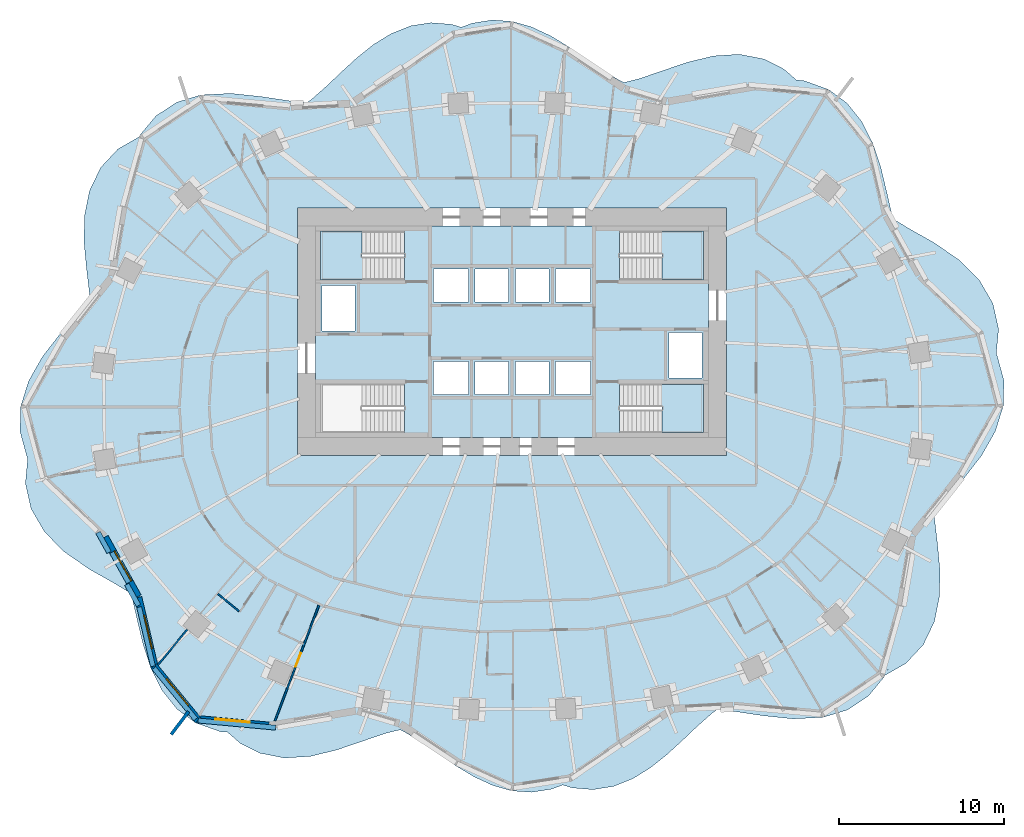
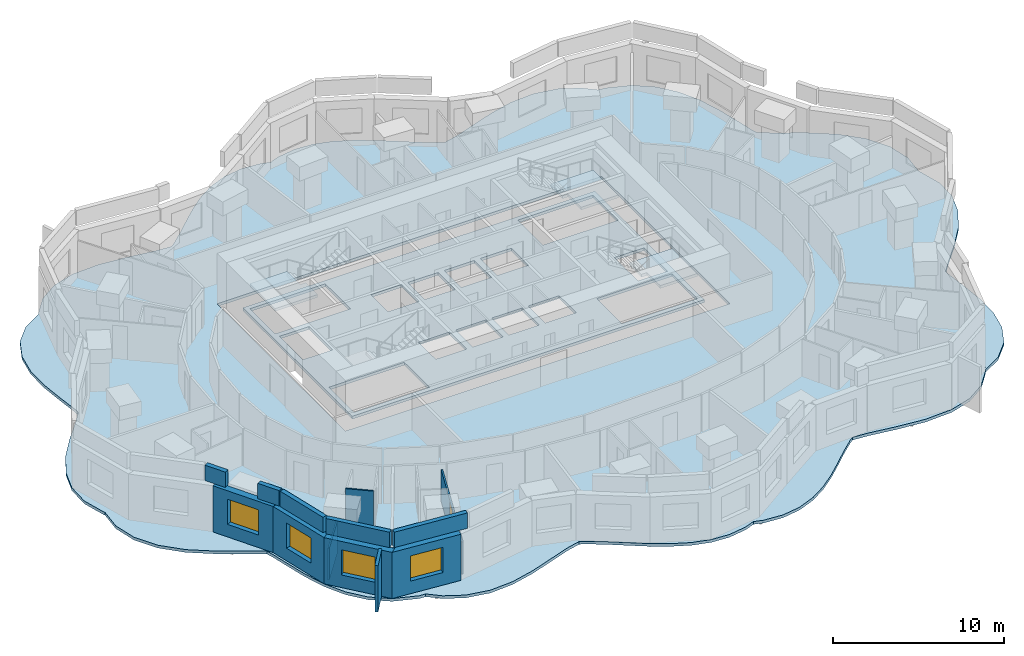
# One storey, part 3 of 12: 13 walls, 5 slabs, 4 windows, 1 door, 5 openings, 3 elements without a shape of their own.
"""IFC4 building model written with IfcOpenShell, lengths in metres."""

from ifc_helpers import new_model, si_unit, direction, frame, frame_2d, origin, place, context, subcontext, project, spatial, polyline, rectangle, outline, extrude, material, layer, layer_set, type_object, element, fill, aggregate, save


model = new_model("IFC4")

# Units and contexts
model_context = context("Model", 3, precision=1e-05, world=origin(), true_north=direction((0.0, 1.0)))
body_context = subcontext(model_context, "Body", "Model", "MODEL_VIEW")
ifc_project = project(units=[si_unit("LENGTHUNIT", "METRE"), si_unit("AREAUNIT", "SQUARE_METRE"), si_unit("VOLUMEUNIT", "CUBIC_METRE"), si_unit("PLANEANGLEUNIT", "RADIAN"), si_unit("MASSUNIT", "GRAM", prefix="KILO")], contexts=[model_context])

# Site, building, storey
site_placement = place(None, origin())
site = spatial("IfcSite", under=ifc_project, at=site_placement, CompositionType="ELEMENT")
building_placement = place(site_placement, origin())
building = spatial("IfcBuilding", under=site, at=building_placement, Name="Rubra Terraces Tower", CompositionType="ELEMENT")
storey_placement = place(building_placement, frame((0.0, 0.0, 117.60009765625)))
storey = spatial("IfcBuildingStorey", under=building, at=storey_placement, Name="L28", CompositionType="ELEMENT", Elevation=117.60009765625)

# Slab
ifc_material_1 = material(Name="Concrete C40", Category="concrete")
ifc_layer_1 = layer(ifc_material_1, 0.199951171875)
ifc_layer_set_1 = layer_set([ifc_layer_1], Name="Concrete C40")
slab_type_1 = type_object("IfcSlabType", Name="Core floor slab 200 concrete", PredefinedType="FLOOR", material=ifc_layer_set_1)
slab_1_placement = place(storey_placement, frame((0.0, 0.0, -0.2001953125)))
element("IfcSlab", 1, at=slab_1_placement, inside=storey, type_object=slab_type_1, Name="CORE FLOOR SLAB L28", PredefinedType="FLOOR", context=body_context, shape_type="SweptSolid", body=[
    extrude(outline(polyline([(-11.89990234375, -1.89990234375), (-11.89990234375, 10.89990234375), (11.89990234375, 10.89990234375), (11.89990234375, -1.89990234375), (-11.89990234375, -1.89990234375)]), holes=[polyline([(11.597900390625, 1.347900390625), (6.501953125, 1.347900390625), (6.501953125, -1.597900390625), (11.597900390625, -1.597900390625), (11.597900390625, 1.347900390625)]), polyline([(11.597900390625, 7.652099609375), (11.597900390625, 10.597900390625), (6.501953125, 10.597900390625), (6.501953125, 7.652099609375), (11.597900390625, 7.652099609375)]), polyline([(9.5, 1.699951171875), (11.5, 1.699951171875), (11.5, 4.449951171875), (9.5, 4.449951171875), (9.5, 1.699951171875)]), polyline([(4.75, 0.699951171875), (4.75, 2.699951171875), (2.64990234375, 2.699951171875), (2.64990234375, 0.699951171875), (4.75, 0.699951171875)]), polyline([(4.75, 6.300048828125), (4.75, 8.300048828125), (2.64990234375, 8.300048828125), (2.64990234375, 6.300048828125), (4.75, 6.300048828125)]), polyline([(2.25, 0.699951171875), (2.25, 2.699951171875), (0.199951171875, 2.699951171875), (0.199951171875, 0.699951171875), (2.25, 0.699951171875)]), polyline([(2.25, 6.300048828125), (2.25, 8.300048828125), (0.199951171875, 8.300048828125), (0.199951171875, 6.300048828125), (2.25, 6.300048828125)]), polyline([(-0.199951171875, 0.699951171875), (-0.199951171875, 2.699951171875), (-2.25, 2.699951171875), (-2.25, 0.699951171875), (-0.199951171875, 0.699951171875)]), polyline([(-0.199951171875, 6.300048828125), (-0.199951171875, 8.300048828125), (-2.25, 8.300048828125), (-2.25, 6.300048828125), (-0.199951171875, 6.300048828125)]), polyline([(-2.64990234375, 0.699951171875), (-2.64990234375, 2.699951171875), (-4.75, 2.699951171875), (-4.75, 0.699951171875), (-2.64990234375, 0.699951171875)]), polyline([(-2.64990234375, 8.300048828125), (-4.75, 8.300048828125), (-4.75, 6.300048828125), (-2.64990234375, 6.300048828125), (-2.64990234375, 8.300048828125)]), polyline([(-11.597900390625, -1.597900390625), (-6.501953125, -1.597900390625), (-6.501953125, 1.347900390625), (-11.597900390625, 1.347900390625), (-11.597900390625, -1.597900390625)]), polyline([(-11.597900390625, 10.597900390625), (-11.597900390625, 7.652099609375), (-6.501953125, 7.652099609375), (-6.501953125, 10.597900390625), (-11.597900390625, 10.597900390625)]), polyline([(-9.5, 4.550048828125), (-9.5, 7.300048828125), (-11.5, 7.300048828125), (-11.5, 4.550048828125), (-9.5, 4.550048828125)])]), origin(), (0.0, 0.0, 1.0), 0.2001953125),
])

# Stair, slab
stair_type = type_object("IfcStairType", Name="Core stair 1400", PredefinedType="HALF_TURN_STAIR", material=ifc_material_1)
stair_1_placement = place(storey_placement, origin())
stair_1 = element("IfcStair", 2, at=stair_1_placement, inside=storey, type_object=stair_type, Name="L28 Exit stair S2", PredefinedType="HALF_TURN_STAIR")
ifc_layer_2 = layer(ifc_material_1, 0.199951171875)
ifc_layer_set_2 = layer_set([ifc_layer_2], Name="Concrete C40")
slab_type_2 = type_object("IfcSlabType", Name="Core stair landing 200", PredefinedType="LANDING", material=ifc_layer_set_2)
slab_2_placement = place(storey_placement, frame((0.0, 0.0, 1.599853515625)))
slab_2 = element("IfcSlab", 3, at=slab_2_placement, type_object=slab_type_2, Name="S2 landing 1", PredefinedType="LANDING", context=body_context, shape_type="SweptSolid", body=[
    extrude(outline(polyline([(-8.719970703125, 9.050048828125), (-8.719970703125, 7.64990234375), (-9.1201171875, 7.64990234375), (-11.60009765625, 7.64990234375), (-11.60009765625, 10.60009765625), (-9.1201171875, 10.60009765625), (-9.10009765625, 10.60009765625), (-9.097900390625, 10.60009765625), (-9.097900390625, 9.199951171875), (-9.10009765625, 9.199951171875), (-9.10009765625, 9.050048828125), (-8.719970703125, 9.050048828125)])), origin(), (0.0, 0.0, 1.0), 0.199951171875),
])
aggregate(stair_1, [slab_2])

stair_2_placement = place(storey_placement, origin())
stair_2 = element("IfcStair", 4, at=stair_2_placement, inside=storey, type_object=stair_type, Name="L28 Exit stair S3", PredefinedType="HALF_TURN_STAIR")
slab_3_placement = place(storey_placement, frame((0.0, 0.0, 1.599853515625)))
slab_3 = element("IfcSlab", 5, at=slab_3_placement, type_object=slab_type_2, Name="S3 landing 1", PredefinedType="LANDING", context=body_context, shape_type="SweptSolid", body=[
    extrude(outline(polyline([(9.10009765625, 9.050048828125), (9.10009765625, 9.199951171875), (8.719970703125, 9.199951171875), (8.719970703125, 10.60009765625), (9.10009765625, 10.60009765625), (9.1201171875, 10.60009765625), (11.60009765625, 10.60009765625), (11.60009765625, 7.64990234375), (9.1201171875, 7.64990234375), (9.097900390625, 7.64990234375), (9.097900390625, 9.050048828125), (9.10009765625, 9.050048828125)])), origin(), (0.0, 0.0, 1.0), 0.199951171875),
])
aggregate(stair_2, [slab_3])

stair_3_placement = place(storey_placement, origin())
stair_3 = element("IfcStair", 6, at=stair_3_placement, inside=storey, type_object=stair_type, Name="L28 Exit stair S4", PredefinedType="HALF_TURN_STAIR")
slab_4_placement = place(storey_placement, frame((0.0, 0.0, 1.599853515625)))
slab_4 = element("IfcSlab", 7, at=slab_4_placement, type_object=slab_type_2, Name="S4 landing 1", PredefinedType="LANDING", context=body_context, shape_type="SweptSolid", body=[
    extrude(outline(polyline([(9.10009765625, -0.199951171875), (9.10009765625, -0.050048828125), (8.719970703125, -0.050048828125), (8.719970703125, 1.35009765625), (9.10009765625, 1.35009765625), (9.1201171875, 1.35009765625), (11.60009765625, 1.35009765625), (11.60009765625, -1.60009765625), (9.1201171875, -1.60009765625), (9.10009765625, -1.60009765625), (9.097900390625, -1.60009765625), (9.097900390625, -0.199951171875), (9.10009765625, -0.199951171875)])), origin(), (0.0, 0.0, 1.0), 0.199951171875),
])
aggregate(stair_3, [slab_4])

# Slab
ifc_layer_3 = layer(ifc_material_1, 0.199951171875)
ifc_layer_set_3 = layer_set([ifc_layer_3], Name="Concrete C40")
slab_type_3 = type_object("IfcSlabType", Name="FLOOR SLAB 200 COMPOSITE", PredefinedType="FLOOR", material=ifc_layer_set_3)
slab_5_placement = place(storey_placement, frame((0.0, 0.0, -0.2001953125)))
element("IfcSlab", 8, at=slab_5_placement, inside=storey, type_object=slab_type_3, Name="FLOOR SLAB L28", PredefinedType="FLOOR", context=body_context, shape_type="SweptSolid", body=[
    extrude(outline(polyline([(24.069091796875, 10.74609375), (23.112060546875, 11.324951171875), (22.988037109375, 11.712890625), (22.68408203125, 13.0390625), (22.342041015625, 14.4599609375), (21.8701171875, 15.889892578125), (21.199951171875, 17.222900390625), (20.301025390625, 18.346923828125), (19.179931640625, 19.179931640625), (17.657958984375, 19.72412109375), (17.235107421875, 19.7529296875), (16.466064453125, 20.4189453125), (15.27392578125, 21.02294921875), (13.781005859375, 21.31494140625), (12.205078125, 21.215087890625), (10.611083984375, 20.825927734375), (9.1240234375, 20.320068359375), (7.697021484375, 19.83203125), (6.784912109375, 19.60791015625), (6.427978515625, 19.782958984375), (5.45703125, 20.389892578125), (4.465087890625, 21.071044921875), (3.447021484375, 21.762939453125), (2.31591796875, 22.444091796875), (1.162109375, 22.97900390625), (0.0, 23.306884765625), (-1.201904296875, 23.389892578125), (-2.408935546875, 23.197998046875), (-3.06591796875, 22.949951171875), (-3.6630859375, 23.126953125), (-4.908935546875, 23.22900390625), (-6.138916015625, 23.037109375), (-7.330078125, 22.56103515625), (-8.3798828125, 21.910888671875), (-9.376953125, 21.118896484375), (-10.321044921875, 20.2548828125), (-11.237060546875, 19.384033203125), (-12.132080078125, 18.593017578125), (-12.39501953125, 18.402099609375), (-13.431884765625, 18.487060546875), (-15.18798828125, 18.7509765625), (-17.028076171875, 18.945068359375), (-18.85009765625, 18.85009765625), (-20.320068359375, 18.403076171875), (-21.5791015625, 17.572998046875), (-22.55908203125, 16.389892578125), (-23.196044921875, 15.06103515625), (-22.60107421875, 16.302978515625), (-23.864990234375, 15.5810546875), (-24.9140625, 14.4560546875), (-25.593994140625, 13.041015625), (-25.89892578125, 11.50390625), (-25.923095703125, 9.916015625), (-25.779052734375, 8.3759765625), (-25.596923828125, 6.819091796875), (-25.587890625, 6.4599609375), (-26.281982421875, 5.613037109375), (-27.404052734375, 4.340087890625), (-28.449951171875, 2.988037109375), (-29.281982421875, 1.51904296875), (-29.757080078125, 0.0), (-29.802978515625, -1.535888671875), (-29.383056640625, -3.072021484375), (-29.3359375, -3.153076171875), (-29.47607421875, -4.6689453125), (-29.134033203125, -6.214111328125), (-28.319091796875, -7.618896484375), (-27.135009765625, -8.81689453125), (-25.60693359375, -9.8779296875), (-24.069091796875, -10.74609375), (-23.112060546875, -11.324951171875), (-22.988037109375, -11.712890625), (-22.68408203125, -13.0390625), (-22.342041015625, -14.4599609375), (-21.8701171875, -15.889892578125), (-21.199951171875, -17.222900390625), (-20.301025390625, -18.346923828125), (-19.179931640625, -19.179931640625), (-17.657958984375, -19.72412109375), (-17.235107421875, -19.7529296875), (-16.466064453125, -20.4189453125), (-15.27392578125, -21.02294921875), (-13.781005859375, -21.31494140625), (-12.205078125, -21.215087890625), (-10.611083984375, -20.825927734375), (-9.1240234375, -20.320068359375), (-7.697021484375, -19.83203125), (-6.784912109375, -19.60791015625), (-6.427978515625, -19.782958984375), (-5.45703125, -20.389892578125), (-4.465087890625, -21.071044921875), (-3.447021484375, -21.762939453125), (-2.31591796875, -22.444091796875), (-1.162109375, -22.97900390625), (0.0, -23.306884765625), (1.201904296875, -23.389892578125), (2.408935546875, -23.197998046875), (3.06591796875, -22.949951171875), (3.6630859375, -23.126953125), (4.908935546875, -23.22900390625), (6.138916015625, -23.037109375), (7.330078125, -22.56103515625), (8.3798828125, -21.910888671875), (9.376953125, -21.118896484375), (10.321044921875, -20.2548828125), (11.237060546875, -19.384033203125), (12.132080078125, -18.593017578125), (12.39501953125, -18.402099609375), (13.431884765625, -18.487060546875), (15.18798828125, -18.7509765625), (17.028076171875, -18.945068359375), (18.85009765625, -18.85009765625), (20.320068359375, -18.403076171875), (21.5791015625, -17.572998046875), (22.55908203125, -16.389892578125), (23.196044921875, -15.06103515625), (22.60107421875, -16.302978515625), (23.864990234375, -15.5810546875), (24.9140625, -14.4560546875), (25.593994140625, -13.041015625), (25.89892578125, -11.50390625), (25.923095703125, -9.916015625), (25.779052734375, -8.3759765625), (25.596923828125, -6.819091796875), (25.587890625, -6.4599609375), (26.281982421875, -5.613037109375), (27.404052734375, -4.340087890625), (28.449951171875, -2.988037109375), (29.281982421875, -1.51904296875), (29.757080078125, 0.0), (29.802978515625, 1.535888671875), (29.383056640625, 3.072021484375), (29.3359375, 3.153076171875), (29.47607421875, 4.6689453125), (29.134033203125, 6.214111328125), (28.319091796875, 7.618896484375), (27.135009765625, 8.81689453125), (25.60693359375, 9.8779296875), (24.069091796875, 10.74609375)]), holes=[polyline([(13.0, 12.0), (13.0, -3.0), (-13.0, -3.0), (-13.0, 12.0), (13.0, 12.0)])]), origin(), (0.0, 0.0, 1.0), 0.2001953125),
])

# Wall, opening, window
ifc_material_2 = material(Name="Brick masonry red-brown", Category="masonry")
ifc_layer_4 = layer(ifc_material_2, 0.449951171875)
ifc_layer_set_4 = layer_set([ifc_layer_4], Name="Brick masonry red-brown")
wall_type_1 = type_object("IfcWallType", Name="Brick facade wall 450", PredefinedType="SOLIDWALL", material=ifc_layer_set_4)
wall_1_placement = place(storey_placement, frame((-24.662109375, -7.93896484375, 0.0), z_axis=(0.0, 0.0, 1.0), x_axis=(0.485153910721, -0.874428775208, 0.0)))
wall_1 = element("IfcWall", 9, at=wall_1_placement, inside=storey, type_object=wall_type_1, Name="Facade wall L28 bay 23", PredefinedType="SOLIDWALL", context=body_context, shape_type="SweptSolid", body=[
    extrude(rectangle(XDim=4.1123046875, YDim=0.449951171875, at=frame_2d((2.05615234375, 0.0))), origin(), (0.0, 0.0, 1.0), 3.2998046875),
])
opening_1_placement = place(wall_1_placement, frame((1.006103515625, 0.0, 0.89990234375)))
opening_1 = element("IfcOpeningElement", 10, at=opening_1_placement, cuts=wall_1, Name="Opening W1Z", PredefinedType="OPENING", context=body_context, shape_type="SweptSolid", body=[
    extrude(rectangle(XDim=2.10009765625, YDim=1.800048828125, at=frame_2d((1.050048828125, 0.89990234375))), frame((0.0, 0.23486328125, 0.0), z_axis=(0.0, -1.0, 0.0), x_axis=(1.0, 0.0, 0.0)), (0.0, 0.0, 1.0), 0.469970703125),
])
ifc_material_3 = material(Name="Clear glass in aluminium frame", Category="aluminium")
window_type = type_object("IfcWindowType", Name="Fixed deep-set window under transfer level 2100 x 1800", PartitioningType="SINGLE_PANEL", PredefinedType="WINDOW", material=ifc_material_3)
window_1_placement = place(opening_1_placement, origin())
window_1 = element("IfcWindow", 11, at=window_1_placement, inside=storey, type_object=window_type, Name="Window L28 bay 23", OverallHeight=1.800048828125, OverallWidth=2.10009765625, PartitioningType="SINGLE_PANEL", PredefinedType="WINDOW", context=body_context, shape_type="SweptSolid", body=[
    extrude(rectangle(XDim=2.10009765625, YDim=1.800048828125, at=frame_2d((1.050048828125, 0.89990234375))), frame((0.0, 0.135009765625, 0.0), z_axis=(0.0, -1.0, 0.0), x_axis=(1.0, 0.0, 0.0)), (0.0, 0.0, 1.0), 0.06005859375),
])
fill(opening_1, window_1)

wall_2_placement = place(storey_placement, frame((-22.646484375, -11.5859375, 0.0), z_axis=(0.0, 0.0, 1.0), x_axis=(0.227925124198, -0.973678662475, 0.0)))
wall_2 = element("IfcWall", 12, at=wall_2_placement, inside=storey, type_object=wall_type_1, Name="Facade wall L28 bay 24", PredefinedType="SOLIDWALL", context=body_context, shape_type="SweptSolid", body=[
    extrude(rectangle(XDim=4.360595703125, YDim=0.449951171875, at=frame_2d((2.18017578125, 0.0))), origin(), (0.0, 0.0, 1.0), 3.2998046875),
])
opening_2_placement = place(wall_2_placement, frame((1.13037109375, 0.0, 0.89990234375)))
opening_2 = element("IfcOpeningElement", 13, at=opening_2_placement, cuts=wall_2, Name="Opening W1Z", PredefinedType="OPENING", context=body_context, shape_type="SweptSolid", body=[
    extrude(rectangle(XDim=2.10009765625, YDim=1.800048828125, at=frame_2d((1.050048828125, 0.89990234375))), frame((0.0, 0.23486328125, 0.0), z_axis=(0.0, -1.0, 0.0), x_axis=(1.0, 0.0, 0.0)), (0.0, 0.0, 1.0), 0.469970703125),
])
window_2_placement = place(opening_2_placement, origin())
window_2 = element("IfcWindow", 14, at=window_2_placement, inside=storey, type_object=window_type, Name="Window L28 bay 24", OverallHeight=1.800048828125, OverallWidth=2.10009765625, PartitioningType="SINGLE_PANEL", PredefinedType="WINDOW", context=body_context, shape_type="SweptSolid", body=[
    extrude(rectangle(XDim=2.10009765625, YDim=1.800048828125, at=frame_2d((1.050048828125, 0.89990234375))), frame((0.0, 0.135009765625, 0.0), z_axis=(0.0, -1.0, 0.0), x_axis=(1.0, 0.0, 0.0)), (0.0, 0.0, 1.0), 0.06005859375),
])
fill(opening_2, window_2)

wall_3_placement = place(storey_placement, frame((-21.69580078125, -15.74755859375, 0.0), z_axis=(0.0, 0.0, 1.0), x_axis=(0.632968710519, -0.774177377288, 0.0)))
wall_3 = element("IfcWall", 15, at=wall_3_placement, inside=storey, type_object=wall_type_1, Name="Facade wall L28 bay 25", PredefinedType="SOLIDWALL", context=body_context, shape_type="SweptSolid", body=[
    extrude(rectangle(XDim=4.249755859375, YDim=0.449951171875, at=frame_2d((2.125, 0.0))), origin(), (0.0, 0.0, 1.0), 3.2998046875),
])
opening_3_placement = place(wall_3_placement, frame((1.074951171875, 0.0, 0.89990234375)))
opening_3 = element("IfcOpeningElement", 16, at=opening_3_placement, cuts=wall_3, Name="Opening W1Z", PredefinedType="OPENING", context=body_context, shape_type="SweptSolid", body=[
    extrude(rectangle(XDim=2.10009765625, YDim=1.800048828125, at=frame_2d((1.050048828125, 0.89990234375))), frame((0.0, 0.23486328125, 0.0), z_axis=(0.0, -1.0, 0.0), x_axis=(1.0, 0.0, 0.0)), (0.0, 0.0, 1.0), 0.469970703125),
])
window_3_placement = place(opening_3_placement, origin())
window_3 = element("IfcWindow", 17, at=window_3_placement, inside=storey, type_object=window_type, Name="Window L28 bay 25", OverallHeight=1.800048828125, OverallWidth=2.10009765625, PartitioningType="SINGLE_PANEL", PredefinedType="WINDOW", context=body_context, shape_type="SweptSolid", body=[
    extrude(rectangle(XDim=2.10009765625, YDim=1.800048828125, at=frame_2d((1.050048828125, 0.89990234375))), frame((0.0, 0.135009765625, 0.0), z_axis=(0.0, -1.0, 0.0), x_axis=(1.0, 0.0, 0.0)), (0.0, 0.0, 1.0), 0.06005859375),
])
fill(opening_3, window_3)

wall_4_placement = place(storey_placement, frame((-19.1591796875, -18.955810546875, 0.0), z_axis=(0.0, 0.0, 1.0), x_axis=(0.995777399421, -0.091800712424, 0.0)))
wall_4 = element("IfcWall", 18, at=wall_4_placement, inside=storey, type_object=wall_type_1, Name="Facade wall L28 bay 26", PredefinedType="SOLIDWALL", context=body_context, shape_type="SweptSolid", body=[
    extrude(rectangle(XDim=4.45458984375, YDim=0.449951171875, at=frame_2d((2.227294921875, 0.0))), origin(), (0.0, 0.0, 1.0), 3.2998046875),
])
opening_4_placement = place(wall_4_placement, frame((1.177490234375, 0.0, 0.89990234375)))
opening_4 = element("IfcOpeningElement", 19, at=opening_4_placement, cuts=wall_4, Name="Opening W1Z", PredefinedType="OPENING", context=body_context, shape_type="SweptSolid", body=[
    extrude(rectangle(XDim=2.10009765625, YDim=1.800048828125, at=frame_2d((1.050048828125, 0.89990234375))), frame((0.0, 0.23486328125, 0.0), z_axis=(0.0, -1.0, 0.0), x_axis=(1.0, 0.0, 0.0)), (0.0, 0.0, 1.0), 0.469970703125),
])
window_4_placement = place(opening_4_placement, origin())
window_4 = element("IfcWindow", 20, at=window_4_placement, inside=storey, type_object=window_type, Name="Window L28 bay 26", OverallHeight=1.800048828125, OverallWidth=2.10009765625, PartitioningType="SINGLE_PANEL", PredefinedType="WINDOW", context=body_context, shape_type="SweptSolid", body=[
    extrude(rectangle(XDim=2.10009765625, YDim=1.800048828125, at=frame_2d((1.050048828125, 0.89990234375))), frame((0.0, 0.135009765625, 0.0), z_axis=(0.0, -1.0, 0.0), x_axis=(1.0, 0.0, 0.0)), (0.0, 0.0, 1.0), 0.06005859375),
])
fill(opening_4, window_4)

# Walls
ifc_layer_5 = layer(ifc_material_2, 0.300048828125)
ifc_layer_set_5 = layer_set([ifc_layer_5], Name="Brick masonry red-brown")
wall_type_2 = type_object("IfcWallType", Name="Brick parapet 300", PredefinedType="PARAPET", material=ifc_layer_set_5)
wall_5_placement = place(storey_placement, frame((-25.078369140625, -7.65234375, 3.599853515625), z_axis=(0.0, 0.0, 1.0), x_axis=(0.485193459679, -0.874406831335, 0.0)))
element("IfcWall", 21, at=wall_5_placement, inside=storey, type_object=wall_type_2, Name="Parapet L28 bay 23", PredefinedType="PARAPET", context=body_context, shape_type="SweptSolid", body=[
    extrude(rectangle(XDim=1.3837890625, YDim=0.300048828125, at=frame_2d((0.69189453125, 0.0))), origin(), (0.0, 0.0, 1.0), 1.10009765625),
])
wall_6_placement = place(storey_placement, frame((-23.333251953125, -10.7978515625, 3.599853515625), z_axis=(0.0, 0.0, 1.0), x_axis=(0.4851761923, -0.874416412486, 0.0)))
element("IfcWall", 22, at=wall_6_placement, inside=storey, type_object=wall_type_2, Name="Parapet L28 bay 23.2", PredefinedType="PARAPET", context=body_context, shape_type="SweptSolid", body=[
    extrude(rectangle(XDim=1.4658203125, YDim=0.300048828125, at=frame_2d((0.73291015625, 0.0))), origin(), (0.0, 0.0, 1.0), 1.10009765625),
])
wall_7_placement = place(storey_placement, frame((-22.585693359375, -12.173583984375, 3.599853515625), z_axis=(0.0, 0.0, 1.0), x_axis=(0.227889817295, -0.973686926673, 0.0)))
element("IfcWall", 23, at=wall_7_placement, inside=storey, type_object=wall_type_2, Name="Parapet L28 bay 24", PredefinedType="PARAPET", context=body_context, shape_type="SweptSolid", body=[
    extrude(rectangle(XDim=3.68212890625, YDim=0.300048828125, at=frame_2d((1.841064453125, 0.0))), origin(), (0.0, 0.0, 1.0), 1.10009765625),
])
wall_8_placement = place(storey_placement, frame((-21.69091796875, -15.8720703125, 3.599853515625), z_axis=(0.0, 0.0, 1.0), x_axis=(0.632984818356, -0.774164207214, 0.0)))
element("IfcWall", 24, at=wall_8_placement, inside=storey, type_object=wall_type_2, Name="Parapet L28 bay 25", PredefinedType="PARAPET", context=body_context, shape_type="SweptSolid", body=[
    extrude(rectangle(XDim=3.99462890625, YDim=0.300048828125, at=frame_2d((1.997314453125, 0.0))), origin(), (0.0, 0.0, 1.0), 1.10009765625),
])
wall_9_placement = place(storey_placement, frame((-19.01123046875, -19.044921875, 3.599853515625), z_axis=(0.0, 0.0, 1.0), x_axis=(0.995781185236, -0.091759637809, 0.0)))
element("IfcWall", 25, at=wall_9_placement, inside=storey, type_object=wall_type_2, Name="Parapet L28 bay 26", PredefinedType="PARAPET", context=body_context, shape_type="SweptSolid", body=[
    extrude(rectangle(XDim=4.7119140625, YDim=0.300048828125, at=frame_2d((2.35595703125, 0.0))), origin(), (0.0, 0.0, 1.0), 1.10009765625),
])
ifc_layer_6 = layer(ifc_material_2, 0.199951171875)
ifc_layer_set_6 = layer_set([ifc_layer_6], Name="Brick masonry red-brown")
wall_type_3 = type_object("IfcWallType", Name="Brick wind fin 200", PredefinedType="SOLIDWALL", material=ifc_layer_set_6)
wall_10_placement = place(storey_placement, frame((-19.591064453125, -18.498046875, 0.0), z_axis=(0.0, 0.0, 1.0), x_axis=(-0.603387525063, -0.797448114048, 0.0)))
element("IfcWall", 26, at=wall_10_placement, inside=storey, type_object=wall_type_3, Name="Wind fin L28 15", PredefinedType="SOLIDWALL", context=body_context, shape_type="SweptSolid", body=[
    extrude(rectangle(XDim=1.75, YDim=0.199951171875, at=frame_2d((0.875, 0.0))), origin(), (0.0, 0.0, 1.0), 3.2998046875),
])
ifc_material_4 = material(Name="Plasterboard on steel stud", Category="steel")
ifc_layer_7 = layer(ifc_material_4, 0.10009765625)
ifc_layer_set_7 = layer_set([ifc_layer_7], Name="Plasterboard on steel stud")
wall_type_4 = type_object("IfcWallType", Name="ROOM PARTITION 100", PredefinedType="PARTITIONING", material=ifc_layer_set_7)
wall_11_placement = place(storey_placement, frame((-16.527099609375, -12.430908203125, 0.0), z_axis=(0.0, 0.0, 1.0), x_axis=(-0.774094584634, 0.633069959831, 0.0)))
element("IfcWall", 27, at=wall_11_placement, inside=storey, type_object=wall_type_4, Name="PARTITION", PredefinedType="PARTITIONING", context=body_context, shape_type="SweptSolid", body=[
    extrude(rectangle(XDim=1.66357421875, YDim=0.10009765625, at=frame_2d((0.831787109375, 0.0))), origin(), (0.0, 0.0, 1.0), 2.683837890625),
])
ifc_layer_8 = layer(ifc_material_4, 0.10009765625)
ifc_layer_set_8 = layer_set([ifc_layer_8], Name="Plasterboard on steel stud")
wall_type_5 = type_object("IfcWallType", Name="ROOM PARTITION 100 LOW HEAD", PredefinedType="PARTITIONING", material=ifc_layer_set_8)
wall_12_placement = place(storey_placement, frame((-21.45263671875, -15.681640625, 0.0), z_axis=(0.0, 0.0, 1.0), x_axis=(0.638677193702, 0.769474783371, 0.0)))
element("IfcWall", 28, at=wall_12_placement, inside=storey, type_object=wall_type_5, Name="PARTITION", PredefinedType="PARTITIONING", context=body_context, shape_type="SweptSolid", body=[
    extrude(rectangle(XDim=2.79052734375, YDim=0.10009765625, at=frame_2d((1.395263671875, 0.0))), origin(), (0.0, 0.0, 1.0), 2.27978515625),
])

# Wall, opening, door
wall_13_placement = place(storey_placement, frame((-14.358642578125, -19.062744140625, 0.0), z_axis=(0.0, 0.0, 1.0), x_axis=(0.355741824807, 0.934584268048, 0.0)))
wall_13 = element("IfcWall", 29, at=wall_13_placement, inside=storey, type_object=wall_type_5, Name="PARTITION", PredefinedType="PARTITIONING", context=body_context, shape_type="SweptSolid", body=[
    extrude(rectangle(XDim=7.489501953125, YDim=0.10009765625, at=frame_2d((3.74462890625, 0.0))), origin(), (0.0, 0.0, 1.0), 2.27978515625),
])
opening_5_placement = place(wall_13_placement, frame((3.5, 0.0, 0.0)))
opening_5 = element("IfcOpeningElement", 30, at=opening_5_placement, cuts=wall_13, Name="Opening 28-132", PredefinedType="OPENING", context=body_context, shape_type="SweptSolid", body=[
    extrude(rectangle(XDim=0.89990234375, YDim=2.10009765625, at=frame_2d((0.449951171875, 1.050048828125))), frame((0.0, 0.06005859375, 0.0), z_axis=(0.0, -1.0, 0.0), x_axis=(1.0, 0.0, 0.0)), (0.0, 0.0, 1.0), 0.1201171875),
])
ifc_material_5 = material(Name="Veneered timber door leaf, fire-rated", Category="wood")
door_type = type_object("IfcDoorType", Name="SUITE ENTRANCE DOOR 900 X 2100", OperationType="SINGLE_SWING_LEFT", PredefinedType="DOOR", material=ifc_material_5)
door_placement = place(opening_5_placement, origin())
door = element("IfcDoor", 31, at=door_placement, inside=storey, type_object=door_type, Name="DOOR 28-132", OperationType="SINGLE_SWING_LEFT", OverallHeight=2.10009765625, OverallWidth=0.89990234375, PredefinedType="DOOR", context=body_context, shape_type="SweptSolid", body=[
    extrude(rectangle(XDim=0.89990234375, YDim=2.10009765625, at=frame_2d((0.449951171875, 1.050048828125))), frame((0.0, 0.02490234375, 0.0), z_axis=(0.0, -1.0, 0.0), x_axis=(1.0, 0.0, 0.0)), (0.0, 0.0, 1.0), 0.050048828125),
])
fill(opening_5, door)

save(model, "model.ifc")
